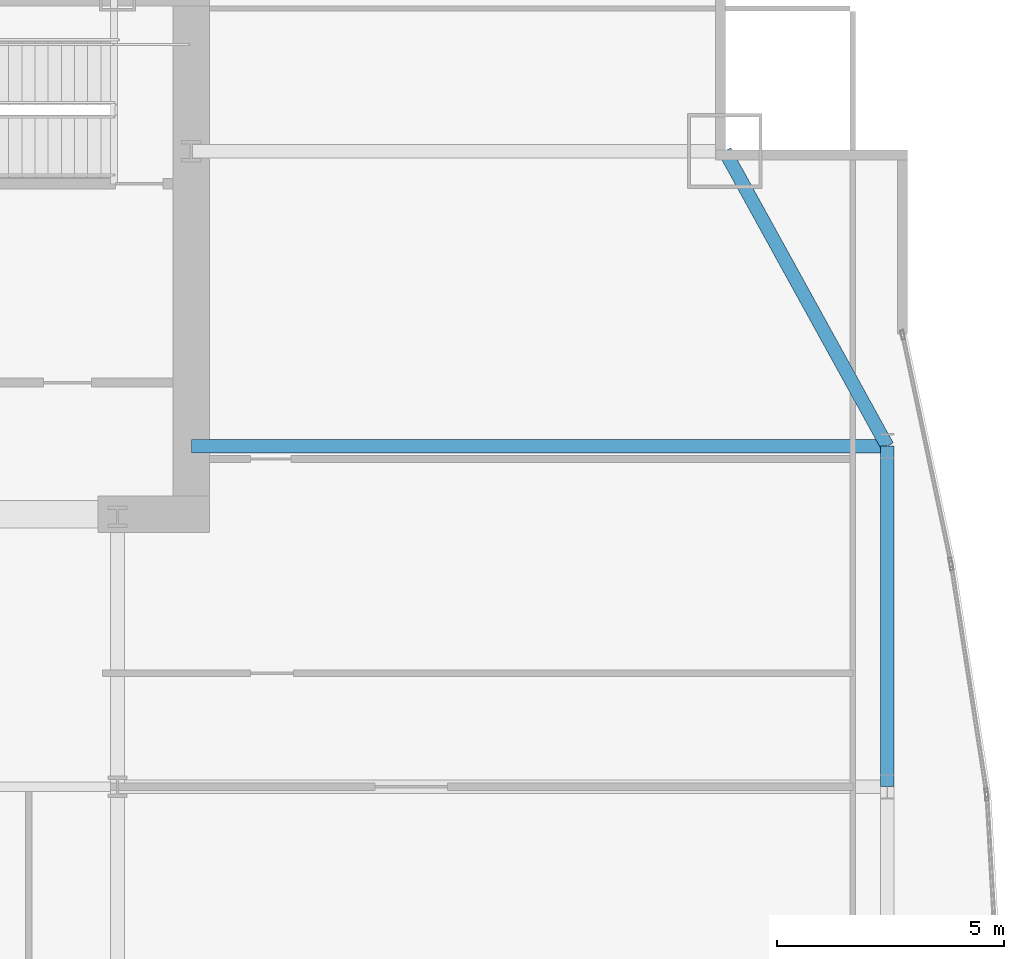
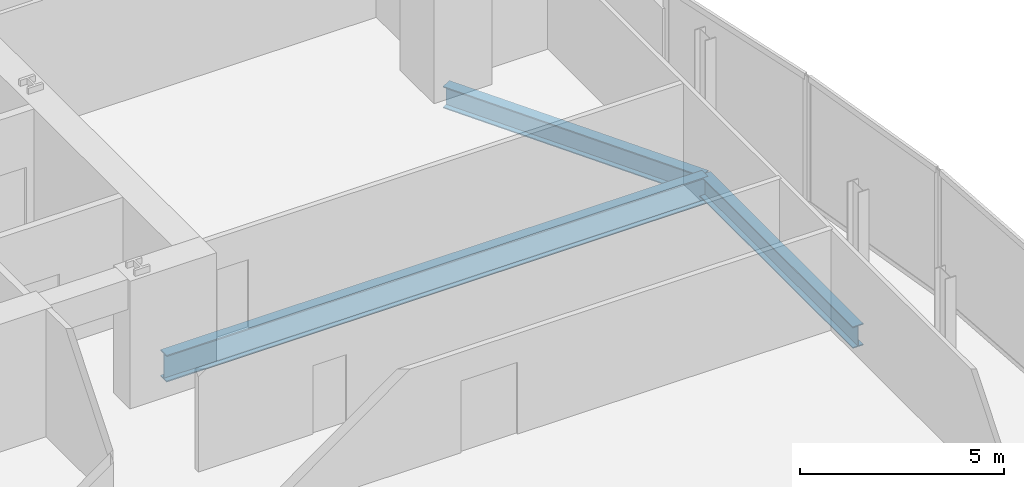
# One storey, part 25 of 35: 3 beams.
"""IFC4 building model written with IfcOpenShell, lengths in metres."""

import ifcopenshell
import ifcopenshell.guid

model = None  # the IFC model being written
_history = None  # IfcOwnerHistory: only IFC2X3 demands one
_inside = {}  # id of a spatial element -> (the spatial element, [elements in it])
_under = {}  # id of a project, library or spatial element -> (it, [spatial elements below it])
_declared = {}  # id of a project -> (the project, [libraries it declares])
_typed = {}  # id of a type object -> (the type object, [elements of that type])
_made_of = {}  # id of a material, layer set ... -> (it, [elements and type objects made of it])


def new_model(schema):
    """Start an empty IFC model of exactly this schema.

    Asked for "IFC4X3", IfcOpenShell would pick the latest addendum, in which some entities
    have other attributes; the version numbers below select the first issue.
    IFC2X3 requires an IfcOwnerHistory on every rooted entity: one is made here for all.
    """
    global model, _history
    if schema == "IFC4X3":
        model = ifcopenshell.file(schema_version=(4, 3, 0, 0))
    else:
        model = ifcopenshell.file(schema=schema)
    _inside.clear()
    _under.clear()
    _declared.clear()
    _typed.clear()
    _made_of.clear()
    _history = None
    if model.schema == "IFC2X3":
        org = make("IfcOrganization", Name="unknown")
        user = make(
            "IfcPersonAndOrganization",
            ThePerson=make("IfcPerson", FamilyName="unknown"),
            TheOrganization=org,
        )
        app = make(
            "IfcApplication",
            ApplicationDeveloper=org,
            Version="unknown",
            ApplicationFullName="unknown",
            ApplicationIdentifier="unknown",
        )
        _history = make(
            "IfcOwnerHistory",
            OwningUser=user,
            OwningApplication=app,
            ChangeAction="ADDED",
            CreationDate=0,
        )
    return model


def make(cls, **values):
    """One entity of the class cls with the attributes given. An attribute that is None is left unset."""
    return model.create_entity(
        cls, **{name: value for name, value in values.items() if value is not None}
    )


def rooted(cls, **values):
    """An entity with a GlobalId (a new one), such as an element, a storey or a relation."""
    return make(cls, GlobalId=ifcopenshell.guid.new(), OwnerHistory=_history, **values)


def si_unit(unit_type, name, prefix=None):
    """IfcSIUnit, for example si_unit("LENGTHUNIT", "METRE", prefix="MILLI")."""
    return make("IfcSIUnit", UnitType=unit_type, Prefix=prefix, Name=name)


def assignment(units):
    """IfcUnitAssignment: the units of a project."""
    return None if units is None else make("IfcUnitAssignment", Units=units)


def point(xyz):
    """IfcCartesianPoint."""
    return None if xyz is None else make("IfcCartesianPoint", Coordinates=xyz)


def direction(xyz):
    """IfcDirection."""
    return None if xyz is None else make("IfcDirection", DirectionRatios=xyz)


def frame(location, z_axis=None, x_axis=None):
    """IfcAxis2Placement3D, a coordinate frame: its origin and axes. An axis left out is left unset."""
    return make(
        "IfcAxis2Placement3D",
        Location=point(location),
        Axis=direction(z_axis),
        RefDirection=direction(x_axis),
    )


def frame_2d(location, x_axis=None):
    """IfcAxis2Placement2D, a coordinate frame in the plane: its origin and x axis."""
    return make(
        "IfcAxis2Placement2D", Location=point(location), RefDirection=direction(x_axis)
    )


def origin():
    """The frame at (0, 0, 0) with its axes left unset."""
    return frame((0.0, 0.0, 0.0))


def origin_2d():
    """The frame at (0, 0) in the plane with its x axis left unset."""
    return frame_2d((0.0, 0.0))


def place(relative_to, where):
    """IfcLocalPlacement: puts the frame where relative to a parent placement (None: the world)."""
    return make(
        "IfcLocalPlacement", PlacementRelTo=relative_to, RelativePlacement=where
    )


def context(
    kind, dimensions, precision=None, world=None, true_north=None, identifier=None
):
    """IfcGeometricRepresentationContext, for example the 3D "Model" context."""
    return make(
        "IfcGeometricRepresentationContext",
        ContextIdentifier=identifier,
        ContextType=kind,
        CoordinateSpaceDimension=dimensions,
        Precision=precision,
        WorldCoordinateSystem=world,
        TrueNorth=true_north,
    )


def subcontext(parent, identifier, kind, view, scale=None):
    """IfcGeometricRepresentationSubContext, for example "Body" below "Model"."""
    return make(
        "IfcGeometricRepresentationSubContext",
        ContextIdentifier=identifier,
        ContextType=kind,
        ParentContext=parent,
        TargetScale=scale,
        TargetView=view,
    )


def project(units=None, contexts=None):
    """IfcProject with its units and contexts."""
    return rooted(
        "IfcProject",
        Name="project",
        RepresentationContexts=contexts,
        UnitsInContext=assignment(units),
    )


def spatial(cls, under=None, at=None, **own):
    """A site, building, storey or space (cls), placed at a placement, below another one or the project."""
    s = rooted(cls, ObjectPlacement=at, **own)
    if under is not None:
        _under.setdefault(under.id(), (under, []))[1].append(s)
    return s


def profile(cls, at=None, kind="AREA", **sizes):
    """A parametric profile (cls). Its sizes go by their IFC names, for example OverallWidth=200.0."""
    return make(cls, ProfileType=kind, Position=at, **sizes)


def i_section(**sizes):
    """IfcIShapeProfileDef."""
    return profile("IfcIShapeProfileDef", **sizes)


def extrude(swept, where, along, depth):
    """IfcExtrudedAreaSolid: the profile swept, set in the frame where, extruded along a direction by depth."""
    return make(
        "IfcExtrudedAreaSolid",
        SweptArea=swept,
        Position=where,
        ExtrudedDirection=direction(along),
        Depth=depth,
    )


def shape(context_of_items, identifier, shape_type, items):
    """IfcShapeRepresentation: the items that make up one representation, for example the "Body"."""
    return make(
        "IfcShapeRepresentation",
        ContextOfItems=context_of_items,
        RepresentationIdentifier=identifier,
        RepresentationType=shape_type,
        Items=items,
    )


def material(Name=None, Category=None):
    """IfcMaterial."""
    return make("IfcMaterial", Name=Name, Category=Category)


def material_profile(
    of_material, cross_section, Name=None, Category=None, Priority=None
):
    """IfcMaterialProfile: a cross section and its material."""
    return make(
        "IfcMaterialProfile",
        Name=Name,
        Material=of_material,
        Profile=cross_section,
        Priority=Priority,
        Category=Category,
    )


def profile_set(profiles, Name=None, composite=None):
    """IfcMaterialProfileSet."""
    return make(
        "IfcMaterialProfileSet",
        Name=Name,
        MaterialProfiles=profiles,
        CompositeProfile=composite,
    )


def made_of(thing, what):
    """Note that an element or type object is made of a material, layer set ...; save() writes the relation."""
    if what is not None:
        _made_of.setdefault(what.id(), (what, []))[1].append(thing)
    return thing


def type_object(cls, material=None, **own):
    """A type object (cls), such as IfcWallType, which elements share."""
    return made_of(rooted(cls, **own), material)


def element(
    cls,
    number,
    at=None,
    inside=None,
    cuts=None,
    type_object=None,
    material=None,
    context=None,
    identifier="Body",
    shape_type=None,
    held_by="IfcProductDefinitionShape",
    body=None,
    shapes=None,
    **own,
):
    """One element of the class cls, such as IfcWall. Its Tag is "e" and its number.

    at: its placement. inside: the storey or other place that contains it. cuts: it is an
    opening in that element (IfcRelVoidsElement). A single representation is given by context,
    identifier, shape_type and body (its items); several are given by shapes. held_by: the class
    of the entity that holds the representations. save() writes the other relations.
    """
    e = rooted(cls, Tag="e%d" % number, ObjectPlacement=at, **own)
    if body is not None:
        shapes = [shape(context, identifier, shape_type, body)]
    if shapes is not None:
        e.Representation = make(held_by, Representations=shapes)
    if inside is not None:
        _inside.setdefault(inside.id(), (inside, []))[1].append(e)
    if cuts is not None:
        rooted(
            "IfcRelVoidsElement", RelatingBuildingElement=cuts, RelatedOpeningElement=e
        )
    if type_object is not None:
        _typed.setdefault(type_object.id(), (type_object, []))[1].append(e)
    return made_of(e, material)


def aggregate(whole, parts):
    """IfcRelAggregates: a whole, such as a stair, and the parts it consists of."""
    return rooted("IfcRelAggregates", RelatingObject=whole, RelatedObjects=parts)


def save(model, path):
    """Write the relations noted so far, then the file.

    IfcRelAggregates (storeys below a building ...), IfcRelContainedInSpatialStructure (elements
    in a storey), IfcRelDefinesByType, IfcRelAssociatesMaterial and IfcRelDeclares: one each for
    every whole, place, type object, material and project.
    """
    for whole, parts in _under.values():
        aggregate(whole, parts)
    for where, things in _inside.values():
        rooted(
            "IfcRelContainedInSpatialStructure",
            RelatedElements=things,
            RelatingStructure=where,
        )
    for kind, things in _typed.values():
        rooted("IfcRelDefinesByType", RelatedObjects=things, RelatingType=kind)
    for what, things in _made_of.values():
        rooted("IfcRelAssociatesMaterial", RelatedObjects=things, RelatingMaterial=what)
    for by, libraries in _declared.values():
        rooted("IfcRelDeclares", RelatingContext=by, RelatedDefinitions=libraries)
    model.write(path)


model = new_model("IFC4")

# Units and contexts
model_context = context("Model", 3, precision=1e-05, world=origin(), true_north=direction((0.0, 1.0)))
body_context = subcontext(model_context, "Body", "Model", "MODEL_VIEW")
ifc_project = project(units=[si_unit("LENGTHUNIT", "METRE"), si_unit("AREAUNIT", "SQUARE_METRE"), si_unit("VOLUMEUNIT", "CUBIC_METRE"), si_unit("PLANEANGLEUNIT", "RADIAN"), si_unit("MASSUNIT", "GRAM", prefix="KILO")], contexts=[model_context])

# Site, building, storey
site_placement = place(None, origin())
site = spatial("IfcSite", under=ifc_project, at=site_placement, CompositionType="ELEMENT")
building_placement = place(site_placement, origin())
building = spatial("IfcBuilding", under=site, at=building_placement, Name="Khoronbel Lancet Exchange", CompositionType="ELEMENT")
storey_placement = place(building_placement, frame((0.0, 0.0, 53.800048828125)))
storey = spatial("IfcBuildingStorey", under=building, at=storey_placement, Name="L12", CompositionType="ELEMENT", Elevation=53.800048828125)

# Beams
ifc_material = material(Name="Steel S355", Category="steel")
ifc_material_profile_1 = material_profile(ifc_material, i_section(OverallWidth=0.300048828125, OverallDepth=0.800048828125, WebThickness=0.017578125, FlangeThickness=0.032958984375, at=origin_2d()), Name="HEB 800")
ifc_profile_set_1 = profile_set([ifc_material_profile_1], Name="Steel S355")
beam_type_1 = type_object("IfcBeamType", Name="BM-BG2", PredefinedType="BEAM", material=ifc_profile_set_1)
beam_1_placement = place(storey_placement, frame((56.300048828125, 43.199951171875, -0.580078125), z_axis=(1.0, 0.0, 0.0), x_axis=(0.0, 1.0, 0.0)))
element("IfcBeam", 1, at=beam_1_placement, inside=storey, type_object=beam_type_1, Name="Level L12 east lens tie girder LG3E", PredefinedType="BEAM", context=body_context, shape_type="SweptSolid", body=[
    extrude(i_section(OverallWidth=0.300048828125, OverallDepth=0.800048828125, WebThickness=0.017578125, FlangeThickness=0.032958984375, at=origin_2d()), origin(), (0.0, 0.0, 1.0), 15.329833984375),
])
ifc_material_profile_2 = material_profile(ifc_material, i_section(OverallWidth=0.300048828125, OverallDepth=0.64990234375, WebThickness=0.01611328125, FlangeThickness=0.031005859375, at=origin_2d()), Name="HEB 650")
ifc_profile_set_2 = profile_set([ifc_material_profile_2], Name="Steel S355")
beam_type_2 = type_object("IfcBeamType", Name="BM-BSP1", PredefinedType="SPANDREL", material=ifc_profile_set_2)
beam_2_placement = place(storey_placement, frame((71.6298828125, 35.699951171875, -0.505126953125), z_axis=(0.0, 1.0, 0.0), x_axis=(-1.0, 0.0, 0.0)))
element("IfcBeam", 2, at=beam_2_placement, inside=storey, type_object=beam_type_2, Name="Level L12 perimeter spandrel beam SP14", PredefinedType="SPANDREL", context=body_context, shape_type="SweptSolid", body=[
    extrude(i_section(OverallWidth=0.300048828125, OverallDepth=0.64990234375, WebThickness=0.01611328125, FlangeThickness=0.031005859375, at=origin_2d()), origin(), (0.0, 0.0, 1.0), 7.5),
])
beam_3_placement = place(storey_placement, frame((71.6298828125, 43.199951171875, -0.505126953125), z_axis=(-0.482418808117, 0.875940690672, 0.0), x_axis=(-0.875940690672, -0.482418808117, 0.0)))
element("IfcBeam", 3, at=beam_3_placement, inside=storey, type_object=beam_type_2, Name="Level L12 perimeter spandrel beam SP15", PredefinedType="SPANDREL", context=body_context, shape_type="SweptSolid", body=[
    extrude(i_section(OverallWidth=0.300048828125, OverallDepth=0.64990234375, WebThickness=0.01611328125, FlangeThickness=0.031005859375, at=origin_2d()), origin(), (0.0, 0.0, 1.0), 7.420654296875),
])

save(model, "model.ifc")
